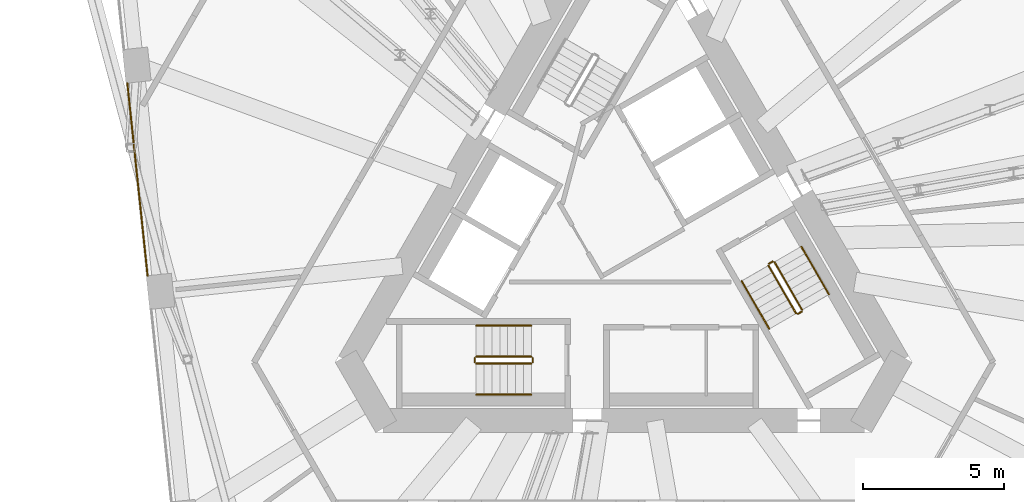
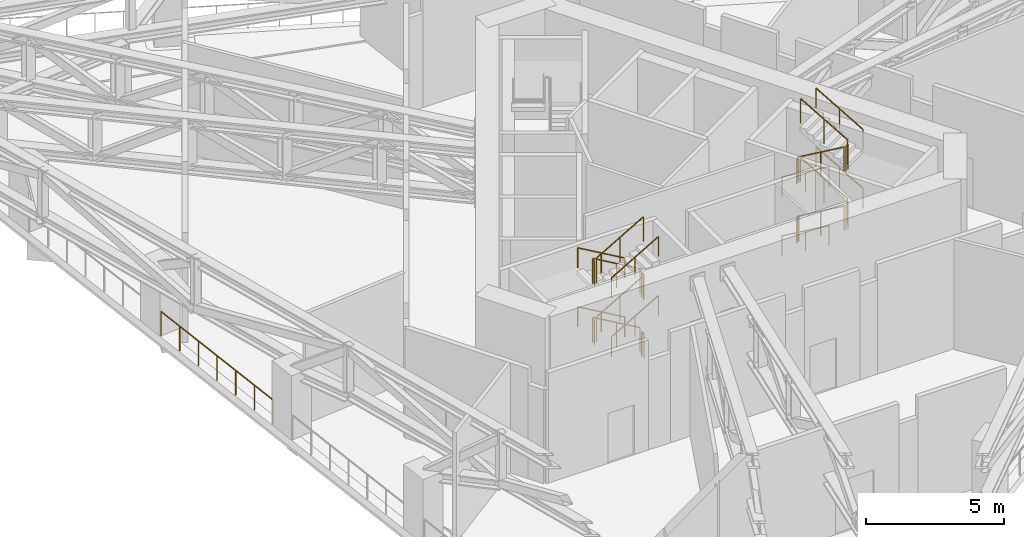
# One storey, part 23 of 26: 25 railings.
"""IFC4 building model written with IfcOpenShell, lengths in metres."""

from ifc_helpers import new_model, si_unit, direction, frame, origin, origin_2d, place, context, subcontext, project, spatial, circle, extrude, material, type_object, element, save


model = new_model("IFC4")

# Units and contexts
model_context = context("Model", 3, precision=1e-05, world=origin(), true_north=direction((0.0, 1.0)))
body_context = subcontext(model_context, "Body", "Model", "MODEL_VIEW")
ifc_project = project(units=[si_unit("LENGTHUNIT", "METRE"), si_unit("AREAUNIT", "SQUARE_METRE"), si_unit("VOLUMEUNIT", "CUBIC_METRE"), si_unit("PLANEANGLEUNIT", "RADIAN"), si_unit("MASSUNIT", "GRAM", prefix="KILO")], contexts=[model_context])

# Site, building, storey
site_placement = place(None, origin())
site = spatial("IfcSite", under=ifc_project, at=site_placement, CompositionType="ELEMENT")
building_placement = place(site_placement, origin())
building = spatial("IfcBuilding", under=site, at=building_placement, Name="Tramontana Tower", CompositionType="ELEMENT")
storey_placement = place(building_placement, frame((0.0, 0.0, 194.800048828125)))
storey = spatial("IfcBuildingStorey", under=building, at=storey_placement, Name="L45", CompositionType="ELEMENT", Elevation=194.800048828125)

# Railings
ifc_material_1 = material(Name="Stainless steel rail and posts", Category="steel")
railing_type_1 = type_object("IfcRailingType", Name="GD2 Terrace guard 1100", PredefinedType="GUARDRAIL", material=ifc_material_1)
railing_1_placement = place(storey_placement, frame((-17.639404296875, 5.670166015625, 0.0)))
element("IfcRailing", 1, at=railing_1_placement, inside=storey, type_object=railing_type_1, Name="Edge guard L45 4", PredefinedType="GUARDRAIL", context=body_context, shape_type="SweptSolid", body=[
    extrude(circle(Radius=0.02392578125, at=origin_2d()), frame((0.0, 0.0, 1.076171875), z_axis=(0.104531531326, -0.994521572898, 0.0), x_axis=(0.994521572898, 0.104531531326, 0.0)), (0.0, 0.0, 1.0), 6.8828125),
    extrude(circle(Radius=0.02099609375, at=origin_2d()), origin(), (0.0, 0.0, 1.0), 1.052001953125),
    extrude(circle(Radius=0.02099609375, at=origin_2d()), frame((0.119873046875, -1.140869140625, 0.0)), (0.0, 0.0, 1.0), 1.052001953125),
    extrude(circle(Radius=0.02099609375, at=origin_2d()), frame((0.23974609375, -2.28173828125, 0.0)), (0.0, 0.0, 1.0), 1.052001953125),
    extrude(circle(Radius=0.02099609375, at=origin_2d()), frame((0.35986328125, -3.422607421875, 0.0)), (0.0, 0.0, 1.0), 1.052001953125),
    extrude(circle(Radius=0.02099609375, at=origin_2d()), frame((0.479736328125, -4.5634765625, 0.0)), (0.0, 0.0, 1.0), 1.052001953125),
    extrude(circle(Radius=0.02099609375, at=origin_2d()), frame((0.599609375, -5.704345703125, 0.0)), (0.0, 0.0, 1.0), 1.052001953125),
    extrude(circle(Radius=0.02099609375, at=origin_2d()), frame((0.719482421875, -6.84521484375, 0.0)), (0.0, 0.0, 1.0), 1.052001953125),
])
ifc_material_2 = material(Name="Painted steel", Category="steel")
railing_type_2 = type_object("IfcRailingType", Name="STAIR GUARD 1100", PredefinedType="GUARDRAIL", material=ifc_material_2)
railing_2_placement = place(storey_placement, frame((-3.280029296875, -4.050048828125, 0.162353515625)))
element("IfcRailing", 2, at=railing_2_placement, inside=storey, type_object=railing_type_2, Name="L45 ST2 stair guard 1", PredefinedType="GUARDRAIL", context=body_context, shape_type="SweptSolid", body=[
    extrude(circle(Radius=0.02392578125, at=origin_2d()), frame((0.0, 0.0, 1.076171875), z_axis=(-0.864855337533, 0.0, 0.502021160053), x_axis=(0.0, -1.0, 0.0)), (0.0, 0.0, 1.0), 2.26611328125),
    extrude(circle(Radius=0.02099609375, at=origin_2d()), origin(), (0.0, 0.0, 1.0), 1.052001953125),
    extrude(circle(Radius=0.02099609375, at=origin_2d()), frame((-0.97998046875, 0.0, 0.56884765625)), (0.0, 0.0, 1.0), 1.052001953125),
    extrude(circle(Radius=0.02099609375, at=origin_2d()), frame((-1.9599609375, 0.0, 1.1376953125)), (0.0, 0.0, 1.0), 1.052001953125),
])
railing_3_placement = place(storey_placement, frame((-5.239990234375, -4.300048828125, 1.46240234375)))
element("IfcRailing", 3, at=railing_3_placement, inside=storey, type_object=railing_type_2, Name="L45 ST2 stair guard 2", PredefinedType="GUARDRAIL", context=body_context, shape_type="SweptSolid", body=[
    extrude(circle(Radius=0.02392578125, at=origin_2d()), frame((0.0, 0.0, 1.076171875), z_axis=(0.864902109995, 0.0, 0.501940574298), x_axis=(0.0, 1.0, 0.0)), (0.0, 0.0, 1.0), 2.26611328125),
    extrude(circle(Radius=0.02099609375, at=origin_2d()), origin(), (0.0, 0.0, 1.0), 1.052001953125),
    extrude(circle(Radius=0.02099609375, at=origin_2d()), frame((0.97998046875, 0.0, 0.56884765625)), (0.0, 0.0, 1.0), 1.052001953125),
    extrude(circle(Radius=0.02099609375, at=origin_2d()), frame((1.9599609375, 0.0, 1.137451171875)), (0.0, 0.0, 1.0), 1.052001953125),
])
railing_4_placement = place(storey_placement, frame((-3.280029296875, -4.050048828125, 2.762451171875)))
element("IfcRailing", 4, at=railing_4_placement, inside=storey, type_object=railing_type_2, Name="L45 ST2 stair guard 3", PredefinedType="GUARDRAIL", context=body_context, shape_type="SweptSolid", body=[
    extrude(circle(Radius=0.02392578125, at=origin_2d()), frame((0.0, 0.0, 1.076171875), z_axis=(-0.864902109995, 0.0, 0.501940574298), x_axis=(0.0, -1.0, 0.0)), (0.0, 0.0, 1.0), 2.26611328125),
    extrude(circle(Radius=0.02099609375, at=origin_2d()), origin(), (0.0, 0.0, 1.0), 1.052001953125),
    extrude(circle(Radius=0.02099609375, at=origin_2d()), frame((-0.97998046875, 0.0, 0.56884765625)), (0.0, 0.0, 1.0), 1.052001953125),
    extrude(circle(Radius=0.02099609375, at=origin_2d()), frame((-1.9599609375, 0.0, 1.137451171875)), (0.0, 0.0, 1.0), 1.052001953125),
])
railing_5_placement = place(storey_placement, frame((-5.239990234375, -4.300048828125, 4.0625)))
element("IfcRailing", 5, at=railing_5_placement, inside=storey, type_object=railing_type_2, Name="L45 ST2 stair guard 4", PredefinedType="GUARDRAIL", context=body_context, shape_type="SweptSolid", body=[
    extrude(circle(Radius=0.02392578125, at=origin_2d()), frame((0.0, 0.0, 1.076171875), z_axis=(0.864902109995, 0.0, 0.501940574298), x_axis=(0.0, 1.0, 0.0)), (0.0, 0.0, 1.0), 2.26611328125),
    extrude(circle(Radius=0.02099609375, at=origin_2d()), origin(), (0.0, 0.0, 1.0), 1.052001953125),
    extrude(circle(Radius=0.02099609375, at=origin_2d()), frame((0.97998046875, 0.0, 0.56884765625)), (0.0, 0.0, 1.0), 1.052001953125),
    extrude(circle(Radius=0.02099609375, at=origin_2d()), frame((1.9599609375, 0.0, 1.137451171875)), (0.0, 0.0, 1.0), 1.052001953125),
])
for number, where, name in (
    (6, (-5.2900390625, -4.10009765625, 1.300048828125), "L45 ST2 stair guard 5"),
    (7, (-3.22998046875, -4.10009765625, 2.599853515625), "L45 ST2 stair guard 6"),
    (8, (-5.2900390625, -4.10009765625, 3.89990234375), "L45 ST2 stair guard 7"),
    (9, (-3.22998046875, -4.10009765625, 0.0), "L45 ST2 stair guard 8"),
):
    element("IfcRailing", number, at=place(storey_placement, frame(where)), inside=storey, type_object=railing_type_2, Name=name, PredefinedType="GUARDRAIL", context=body_context, shape_type="SweptSolid", body=[
        extrude(circle(Radius=0.02392578125, at=origin_2d()), frame((0.0, 0.0, 1.076171875), z_axis=(0.0, -1.0, 0.0), x_axis=(1.0, 0.0, 0.0)), (0.0, 0.0, 1.0), 0.14990234375),
        extrude(circle(Radius=0.02099609375, at=origin_2d()), origin(), (0.0, 0.0, 1.0), 1.052001953125),
        extrude(circle(Radius=0.02099609375, at=origin_2d()), frame((0.0, -0.14990234375, 0.0)), (0.0, 0.0, 1.0), 1.052001953125),
    ])
railing_6_placement = place(storey_placement, frame((5.1474609375, -0.815673828125, 0.162353515625)))
element("IfcRailing", 10, at=railing_6_placement, inside=storey, type_object=railing_type_2, Name="L45 ST3 stair guard 1", PredefinedType="GUARDRAIL", context=body_context, shape_type="SweptSolid", body=[
    extrude(circle(Radius=0.02392578125, at=origin_2d()), frame((0.0, 0.0, 1.076171875), z_axis=(0.432443438183, -0.748965316953, 0.502039467347), x_axis=(0.866011328839, 0.500024377727, 0.0)), (0.0, 0.0, 1.0), 2.26611328125),
    extrude(circle(Radius=0.02099609375, at=origin_2d()), origin(), (0.0, 0.0, 1.0), 1.052001953125),
    extrude(circle(Radius=0.02099609375, at=origin_2d()), frame((0.489990234375, -0.8486328125, 0.56884765625)), (0.0, 0.0, 1.0), 1.052001953125),
    extrude(circle(Radius=0.02099609375, at=origin_2d()), frame((0.97998046875, -1.697265625, 1.1376953125)), (0.0, 0.0, 1.0), 1.052001953125),
])
railing_7_placement = place(storey_placement, frame((6.343994140625, -2.387939453125, 1.46240234375)))
element("IfcRailing", 11, at=railing_7_placement, inside=storey, type_object=railing_type_2, Name="L45 ST3 stair guard 2", PredefinedType="GUARDRAIL", context=body_context, shape_type="SweptSolid", body=[
    extrude(circle(Radius=0.02392578125, at=origin_2d()), frame((0.0, 0.0, 1.076171875), z_axis=(-0.432466826973, 0.749005824891, 0.501958880634), x_axis=(-0.866011328839, -0.500024377727, 0.0)), (0.0, 0.0, 1.0), 2.26611328125),
    extrude(circle(Radius=0.02099609375, at=origin_2d()), origin(), (0.0, 0.0, 1.0), 1.052001953125),
    extrude(circle(Radius=0.02099609375, at=origin_2d()), frame((-0.489990234375, 0.8486328125, 0.56884765625)), (0.0, 0.0, 1.0), 1.052001953125),
    extrude(circle(Radius=0.02099609375, at=origin_2d()), frame((-0.97998046875, 1.697265625, 1.137451171875)), (0.0, 0.0, 1.0), 1.052001953125),
])
railing_8_placement = place(storey_placement, frame((5.1474609375, -0.815673828125, 2.762451171875)))
element("IfcRailing", 12, at=railing_8_placement, inside=storey, type_object=railing_type_2, Name="L45 ST3 stair guard 3", PredefinedType="GUARDRAIL", context=body_context, shape_type="SweptSolid", body=[
    extrude(circle(Radius=0.02392578125, at=origin_2d()), frame((0.0, 0.0, 1.076171875), z_axis=(0.432466826973, -0.749005824891, 0.501958880634), x_axis=(0.866011328839, 0.500024377727, 0.0)), (0.0, 0.0, 1.0), 2.26611328125),
    extrude(circle(Radius=0.02099609375, at=origin_2d()), origin(), (0.0, 0.0, 1.0), 1.052001953125),
    extrude(circle(Radius=0.02099609375, at=origin_2d()), frame((0.489990234375, -0.8486328125, 0.56884765625)), (0.0, 0.0, 1.0), 1.052001953125),
    extrude(circle(Radius=0.02099609375, at=origin_2d()), frame((0.97998046875, -1.697265625, 1.137451171875)), (0.0, 0.0, 1.0), 1.052001953125),
])
railing_9_placement = place(storey_placement, frame((6.343994140625, -2.387939453125, 4.0625)))
element("IfcRailing", 13, at=railing_9_placement, inside=storey, type_object=railing_type_2, Name="L45 ST3 stair guard 4", PredefinedType="GUARDRAIL", context=body_context, shape_type="SweptSolid", body=[
    extrude(circle(Radius=0.02392578125, at=origin_2d()), frame((0.0, 0.0, 1.076171875), z_axis=(-0.432466826973, 0.749005824891, 0.501958880634), x_axis=(-0.866011328839, -0.500024377727, 0.0)), (0.0, 0.0, 1.0), 2.26611328125),
    extrude(circle(Radius=0.02099609375, at=origin_2d()), origin(), (0.0, 0.0, 1.0), 1.052001953125),
    extrude(circle(Radius=0.02099609375, at=origin_2d()), frame((-0.489990234375, 0.8486328125, 0.56884765625)), (0.0, 0.0, 1.0), 1.052001953125),
    extrude(circle(Radius=0.02099609375, at=origin_2d()), frame((-0.97998046875, 1.697265625, 1.137451171875)), (0.0, 0.0, 1.0), 1.052001953125),
])
for number, where, name in (
    (14, (6.19580078125, -2.53125, 1.300048828125), "L45 ST3 stair guard 5"),
    (15, (5.165771484375, -0.747314453125, 2.599853515625), "L45 ST3 stair guard 6"),
    (16, (6.19580078125, -2.53125, 3.89990234375), "L45 ST3 stair guard 7"),
    (17, (5.165771484375, -0.747314453125, 0.0), "L45 ST3 stair guard 8"),
):
    element("IfcRailing", number, at=place(storey_placement, frame(where)), inside=storey, type_object=railing_type_2, Name=name, PredefinedType="GUARDRAIL", context=body_context, shape_type="SweptSolid", body=[
        extrude(circle(Radius=0.02392578125, at=origin_2d()), frame((0.0, 0.0, 1.076171875), z_axis=(0.866131372301, 0.499816412211, 0.0), x_axis=(-0.499816412211, 0.866131372301, 0.0)), (0.0, 0.0, 1.0), 0.14990234375),
        extrude(circle(Radius=0.02099609375, at=origin_2d()), origin(), (0.0, 0.0, 1.0), 1.052001953125),
        extrude(circle(Radius=0.02099609375, at=origin_2d()), frame((0.1298828125, 0.074951171875, 0.0)), (0.0, 0.0, 1.0), 1.052001953125),
    ])
ifc_material_3 = material(Name="Painted steel", Category="steel")
railing_type_3 = type_object("IfcRailingType", Name="STAIR HANDRAIL 900", PredefinedType="HANDRAIL", material=ifc_material_3)
railing_10_placement = place(storey_placement, frame((-3.280029296875, -2.949951171875, 0.162353515625)))
element("IfcRailing", 18, at=railing_10_placement, inside=storey, type_object=railing_type_3, Name="L45 ST2 stair handrail 1", PredefinedType="HANDRAIL", context=body_context, shape_type="SweptSolid", body=[
    extrude(circle(Radius=0.02392578125, at=origin_2d()), frame((0.0, 0.0, 0.8759765625), z_axis=(-0.864855337533, 0.0, 0.502021160053), x_axis=(0.0, -1.0, 0.0)), (0.0, 0.0, 1.0), 2.26611328125),
    extrude(circle(Radius=0.02099609375, at=origin_2d()), origin(), (0.0, 0.0, 1.0), 0.851806640625),
    extrude(circle(Radius=0.02099609375, at=origin_2d()), frame((-0.97998046875, 0.0, 0.56884765625)), (0.0, 0.0, 1.0), 0.851806640625),
    extrude(circle(Radius=0.02099609375, at=origin_2d()), frame((-1.9599609375, 0.0, 1.1376953125)), (0.0, 0.0, 1.0), 0.851806640625),
])
railing_11_placement = place(storey_placement, frame((-5.239990234375, -5.39990234375, 1.46240234375)))
element("IfcRailing", 19, at=railing_11_placement, inside=storey, type_object=railing_type_3, Name="L45 ST2 stair handrail 2", PredefinedType="HANDRAIL", context=body_context, shape_type="SweptSolid", body=[
    extrude(circle(Radius=0.02392578125, at=origin_2d()), frame((0.0, 0.0, 0.8759765625), z_axis=(0.864902109995, 0.0, 0.501940574298), x_axis=(0.0, 1.0, 0.0)), (0.0, 0.0, 1.0), 2.26611328125),
    extrude(circle(Radius=0.02099609375, at=origin_2d()), origin(), (0.0, 0.0, 1.0), 0.851806640625),
    extrude(circle(Radius=0.02099609375, at=origin_2d()), frame((0.97998046875, 0.0, 0.56884765625)), (0.0, 0.0, 1.0), 0.851806640625),
    extrude(circle(Radius=0.02099609375, at=origin_2d()), frame((1.9599609375, 0.0, 1.137451171875)), (0.0, 0.0, 1.0), 0.851806640625),
])
railing_12_placement = place(storey_placement, frame((-3.280029296875, -2.949951171875, 2.762451171875)))
element("IfcRailing", 20, at=railing_12_placement, inside=storey, type_object=railing_type_3, Name="L45 ST2 stair handrail 3", PredefinedType="HANDRAIL", context=body_context, shape_type="SweptSolid", body=[
    extrude(circle(Radius=0.02392578125, at=origin_2d()), frame((0.0, 0.0, 0.8759765625), z_axis=(-0.864902109995, 0.0, 0.501940574298), x_axis=(0.0, -1.0, 0.0)), (0.0, 0.0, 1.0), 2.26611328125),
    extrude(circle(Radius=0.02099609375, at=origin_2d()), origin(), (0.0, 0.0, 1.0), 0.851806640625),
    extrude(circle(Radius=0.02099609375, at=origin_2d()), frame((-0.97998046875, 0.0, 0.56884765625)), (0.0, 0.0, 1.0), 0.851806640625),
    extrude(circle(Radius=0.02099609375, at=origin_2d()), frame((-1.9599609375, 0.0, 1.137451171875)), (0.0, 0.0, 1.0), 0.851806640625),
])
railing_13_placement = place(storey_placement, frame((-5.239990234375, -5.39990234375, 4.0625)))
element("IfcRailing", 21, at=railing_13_placement, inside=storey, type_object=railing_type_3, Name="L45 ST2 stair handrail 4", PredefinedType="HANDRAIL", context=body_context, shape_type="SweptSolid", body=[
    extrude(circle(Radius=0.02392578125, at=origin_2d()), frame((0.0, 0.0, 0.8759765625), z_axis=(0.864902109995, 0.0, 0.501940574298), x_axis=(0.0, 1.0, 0.0)), (0.0, 0.0, 1.0), 2.26611328125),
    extrude(circle(Radius=0.02099609375, at=origin_2d()), origin(), (0.0, 0.0, 1.0), 0.851806640625),
    extrude(circle(Radius=0.02099609375, at=origin_2d()), frame((0.97998046875, 0.0, 0.56884765625)), (0.0, 0.0, 1.0), 0.851806640625),
    extrude(circle(Radius=0.02099609375, at=origin_2d()), frame((1.9599609375, 0.0, 1.137451171875)), (0.0, 0.0, 1.0), 0.851806640625),
])
railing_14_placement = place(storey_placement, frame((4.19482421875, -1.365478515625, 0.162353515625)))
element("IfcRailing", 22, at=railing_14_placement, inside=storey, type_object=railing_type_3, Name="L45 ST3 stair handrail 1", PredefinedType="HANDRAIL", context=body_context, shape_type="SweptSolid", body=[
    extrude(circle(Radius=0.02392578125, at=origin_2d()), frame((0.0, 0.0, 0.8759765625), z_axis=(0.432408546523, -0.749012611852, 0.501998960338), x_axis=(0.866042469362, 0.499970440388, 0.0)), (0.0, 0.0, 1.0), 2.266357421875),
    extrude(circle(Radius=0.02099609375, at=origin_2d()), origin(), (0.0, 0.0, 1.0), 0.851806640625),
    extrude(circle(Radius=0.02099609375, at=origin_2d()), frame((0.489990234375, -0.8486328125, 0.56884765625)), (0.0, 0.0, 1.0), 0.851806640625),
    extrude(circle(Radius=0.02099609375, at=origin_2d()), frame((0.97998046875, -1.697509765625, 1.1376953125)), (0.0, 0.0, 1.0), 0.851806640625),
])
railing_15_placement = place(storey_placement, frame((7.296630859375, -1.837890625, 1.46240234375)))
element("IfcRailing", 23, at=railing_15_placement, inside=storey, type_object=railing_type_3, Name="L45 ST3 stair handrail 2", PredefinedType="HANDRAIL", context=body_context, shape_type="SweptSolid", body=[
    extrude(circle(Radius=0.02392578125, at=origin_2d()), frame((0.0, 0.0, 0.8759765625), z_axis=(-0.432466826973, 0.749005824891, 0.501958880634), x_axis=(-0.866011328839, -0.500024377727, 0.0)), (0.0, 0.0, 1.0), 2.26611328125),
    extrude(circle(Radius=0.02099609375, at=origin_2d()), origin(), (0.0, 0.0, 1.0), 0.851806640625),
    extrude(circle(Radius=0.02099609375, at=origin_2d()), frame((-0.489990234375, 0.8486328125, 0.56884765625)), (0.0, 0.0, 1.0), 0.851806640625),
    extrude(circle(Radius=0.02099609375, at=origin_2d()), frame((-0.97998046875, 1.697265625, 1.137451171875)), (0.0, 0.0, 1.0), 0.851806640625),
])
railing_16_placement = place(storey_placement, frame((4.19482421875, -1.365478515625, 2.762451171875)))
element("IfcRailing", 24, at=railing_16_placement, inside=storey, type_object=railing_type_3, Name="L45 ST3 stair handrail 3", PredefinedType="HANDRAIL", context=body_context, shape_type="SweptSolid", body=[
    extrude(circle(Radius=0.02392578125, at=origin_2d()), frame((0.0, 0.0, 0.8759765625), z_axis=(0.432431929651, -0.749053115811, 0.501918375746), x_axis=(0.866042469362, 0.499970440388, 0.0)), (0.0, 0.0, 1.0), 2.26611328125),
    extrude(circle(Radius=0.02099609375, at=origin_2d()), origin(), (0.0, 0.0, 1.0), 0.851806640625),
    extrude(circle(Radius=0.02099609375, at=origin_2d()), frame((0.489990234375, -0.8486328125, 0.56884765625)), (0.0, 0.0, 1.0), 0.851806640625),
    extrude(circle(Radius=0.02099609375, at=origin_2d()), frame((0.97998046875, -1.697509765625, 1.137451171875)), (0.0, 0.0, 1.0), 0.851806640625),
])
railing_17_placement = place(storey_placement, frame((7.296630859375, -1.837890625, 4.0625)))
element("IfcRailing", 25, at=railing_17_placement, inside=storey, type_object=railing_type_3, Name="L45 ST3 stair handrail 4", PredefinedType="HANDRAIL", context=body_context, shape_type="SweptSolid", body=[
    extrude(circle(Radius=0.02392578125, at=origin_2d()), frame((0.0, 0.0, 0.8759765625), z_axis=(-0.432466826973, 0.749005824891, 0.501958880634), x_axis=(-0.866011328839, -0.500024377727, 0.0)), (0.0, 0.0, 1.0), 2.26611328125),
    extrude(circle(Radius=0.02099609375, at=origin_2d()), origin(), (0.0, 0.0, 1.0), 0.851806640625),
    extrude(circle(Radius=0.02099609375, at=origin_2d()), frame((-0.489990234375, 0.8486328125, 0.56884765625)), (0.0, 0.0, 1.0), 0.851806640625),
    extrude(circle(Radius=0.02099609375, at=origin_2d()), frame((-0.97998046875, 1.697265625, 1.137451171875)), (0.0, 0.0, 1.0), 0.851806640625),
])

save(model, "model.ifc")
